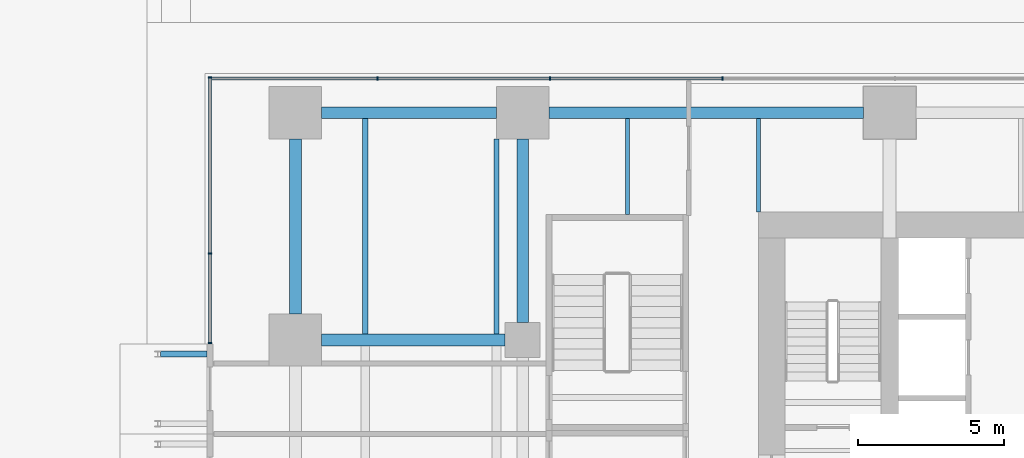
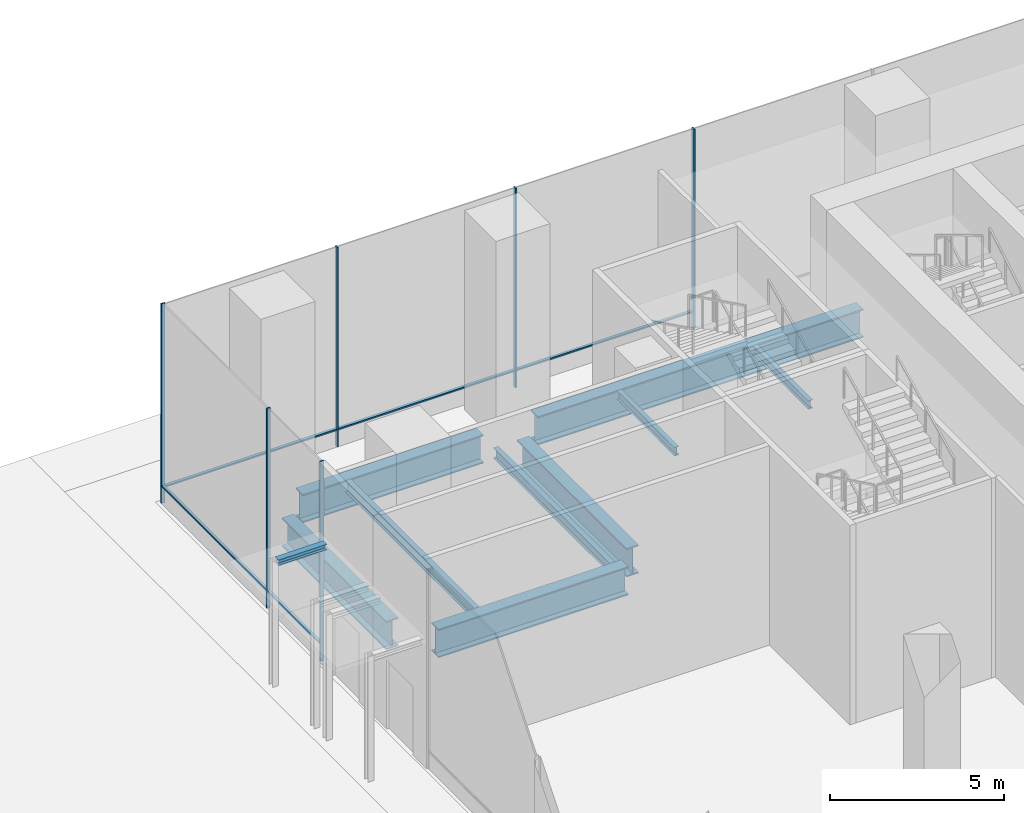
# One storey, part 22 of 41: 11 members, 10 beams, 2 elements without a shape of their own.
"""IFC4 building model written with IfcOpenShell, lengths in metres."""

from ifc_helpers import new_model, si_unit, direction, frame, origin, origin_2d, place, context, subcontext, project, spatial, rectangle, i_section, extrude, material, layer, layer_set, material_profile, profile_set, type_object, element, aggregate, save


model = new_model("IFC4")

# Units and contexts
model_context = context("Model", 3, precision=1e-05, world=origin(), true_north=direction((0.0, 1.0)))
body_context = subcontext(model_context, "Body", "Model", "MODEL_VIEW")
ifc_project = project(units=[si_unit("LENGTHUNIT", "METRE"), si_unit("AREAUNIT", "SQUARE_METRE"), si_unit("VOLUMEUNIT", "CUBIC_METRE"), si_unit("PLANEANGLEUNIT", "RADIAN"), si_unit("MASSUNIT", "GRAM", prefix="KILO")], contexts=[model_context])

# Site, building, storey
site_placement = place(None, origin())
site = spatial("IfcSite", under=ifc_project, at=site_placement, CompositionType="ELEMENT")
building_placement = place(site_placement, origin())
building = spatial("IfcBuilding", under=site, at=building_placement, Name="Rattan Terrace Tower", CompositionType="ELEMENT")
storey_placement = place(building_placement, origin())
storey = spatial("IfcBuildingStorey", under=building, at=storey_placement, Name="L00", CompositionType="ELEMENT", Elevation=0.0)

# Beams
ifc_material_1 = material(Name="Structural steel S355", Category="steel")
ifc_material_profile_1 = material_profile(ifc_material_1, i_section(OverallWidth=0.199951171875, OverallDepth=0.199951171875, WebThickness=0.009033203125, FlangeThickness=0.014892578125, FilletRadius=0.01806640625, at=origin_2d()), Name="HE 200 B")
ifc_profile_set_1 = profile_set([ifc_material_profile_1], Name="Structural steel S355")
beam_type_1 = type_object("IfcBeamType", Name="Canopy beam HE 200 B", PredefinedType="BEAM", material=ifc_profile_set_1)
beam_1_placement = place(storey_placement, frame((-36.929931640625, 2.617919921875, 4.300048828125), z_axis=(-1.0, 0.0, 0.0), x_axis=(0.0, -1.0, 0.0)))
element("IfcBeam", 1, at=beam_1_placement, inside=storey, type_object=beam_type_1, Name="Canopy beam 021a", PredefinedType="BEAM", context=body_context, shape_type="SweptSolid", body=[
    extrude(i_section(OverallWidth=0.199951171875, OverallDepth=0.199951171875, WebThickness=0.009033203125, FlangeThickness=0.014892578125, FilletRadius=0.01806640625, at=origin_2d()), origin(), (0.0, 0.0, 1.0), 1.60009765625),
])
ifc_material_2 = material(Name="Steel S355", Category="steel")
ifc_material_profile_2 = material_profile(ifc_material_2, i_section(OverallWidth=0.14990234375, OverallDepth=0.300048828125, WebThickness=0.007080078125, FlangeThickness=0.0107421875, FilletRadius=0.014892578125, at=origin_2d()), Name="IPE 300")
ifc_profile_set_2 = profile_set([ifc_material_profile_2], Name="Steel S355")
beam_type_2 = type_object("IfcBeamType", Name="Frame floor beam IPE 300", PredefinedType="JOIST", material=ifc_profile_set_2)
beam_2_placement = place(storey_placement, frame((-22.5, 7.39990234375, -0.35009765625), z_axis=(0.0, 1.0, 0.0), x_axis=(-1.0, 0.0, 0.0)))
element("IfcBeam", 2, at=beam_2_placement, inside=storey, type_object=beam_type_2, Name="bm-L00-043", PredefinedType="JOIST", context=body_context, shape_type="SweptSolid", body=[
    extrude(i_section(OverallWidth=0.14990234375, OverallDepth=0.300048828125, WebThickness=0.007080078125, FlangeThickness=0.0107421875, FilletRadius=0.014892578125, at=origin_2d()), origin(), (0.0, 0.0, 1.0), 3.300048828125),
])
beam_3_placement = place(storey_placement, frame((-18.0, 7.5, -0.35009765625), z_axis=(0.0, 1.0, 0.0), x_axis=(-1.0, 0.0, 0.0)))
element("IfcBeam", 3, at=beam_3_placement, inside=storey, type_object=beam_type_2, Name="bm-L00-045", PredefinedType="JOIST", context=body_context, shape_type="SweptSolid", body=[
    extrude(i_section(OverallWidth=0.14990234375, OverallDepth=0.300048828125, WebThickness=0.007080078125, FlangeThickness=0.0107421875, FilletRadius=0.014892578125, at=origin_2d()), origin(), (0.0, 0.0, 1.0), 3.199951171875),
])
ifc_material_3 = material(Name="Steel S355", Category="steel")
ifc_material_profile_3 = material_profile(ifc_material_3, i_section(OverallWidth=0.169921875, OverallDepth=0.360107421875, WebThickness=0.008056640625, FlangeThickness=0.0126953125, FilletRadius=0.01806640625, at=origin_2d()), Name="IPE 360")
ifc_profile_set_3 = profile_set([ifc_material_profile_3], Name="Steel S355")
beam_type_3 = type_object("IfcBeamType", Name="Frame floor beam IPE 360", PredefinedType="JOIST", material=ifc_profile_set_3)
beam_4_placement = place(storey_placement, frame((-27.0, 3.300048828125, -0.3798828125), z_axis=(0.0, 1.0, 0.0), x_axis=(-1.0, 0.0, 0.0)))
element("IfcBeam", 4, at=beam_4_placement, inside=storey, type_object=beam_type_3, Name="bm-L00-040", PredefinedType="JOIST", context=body_context, shape_type="SweptSolid", body=[
    extrude(i_section(OverallWidth=0.169921875, OverallDepth=0.360107421875, WebThickness=0.008056640625, FlangeThickness=0.0126953125, FilletRadius=0.01806640625, at=origin_2d()), origin(), (0.0, 0.0, 1.0), 6.699951171875),
])
ifc_material_4 = material(Name="Steel S355", Category="steel")
ifc_material_profile_4 = material_profile(ifc_material_4, i_section(OverallWidth=0.179931640625, OverallDepth=0.39990234375, WebThickness=0.008544921875, FlangeThickness=0.013427734375, FilletRadius=0.02099609375, at=origin_2d()), Name="IPE 400")
ifc_profile_set_4 = profile_set([ifc_material_profile_4], Name="Steel S355")
beam_type_4 = type_object("IfcBeamType", Name="Frame floor beam IPE 400", PredefinedType="JOIST", material=ifc_profile_set_4)
beam_5_placement = place(storey_placement, frame((-31.5, 3.300048828125, -0.39990234375), z_axis=(0.0, 1.0, 0.0), x_axis=(-1.0, 0.0, 0.0)))
element("IfcBeam", 5, at=beam_5_placement, inside=storey, type_object=beam_type_4, Name="bm-L00-039", PredefinedType="JOIST", context=body_context, shape_type="SweptSolid", body=[
    extrude(i_section(OverallWidth=0.179931640625, OverallDepth=0.39990234375, WebThickness=0.008544921875, FlangeThickness=0.013427734375, FilletRadius=0.02099609375, at=origin_2d()), origin(), (0.0, 0.0, 1.0), 7.39990234375),
])
ifc_material_5 = material(Name="Steel S460", Category="steel")
ifc_material_profile_5 = material_profile(ifc_material_5, i_section(OverallWidth=0.39990234375, OverallDepth=1.0, WebThickness=0.01806640625, FlangeThickness=0.044921875, at=origin_2d()), Name="PG 1000x400-18-45")
ifc_profile_set_5 = profile_set([ifc_material_profile_5], Name="Steel S460")
beam_type_5 = type_object("IfcBeamType", Name="Frame podium girder PG 1000x400-18-45", PredefinedType="USERDEFINED", material=ifc_profile_set_5)
for number, where, z_axis, x_axis, name in (
    (6, (-33.0, 3.10009765625, -0.699951171875), (1.0, 0.0, 0.0), (0.0, 1.0, 0.0), "gdr-L00-040"),
    (7, (-26.10009765625, 3.699951171875, -0.699951171875), (0.0, 1.0, 0.0), (-1.0, 0.0, 0.0), "gdr-L00-042"),
):
    element("IfcBeam", number, at=place(storey_placement, frame(where, z_axis=z_axis, x_axis=x_axis)), inside=storey, type_object=beam_type_5, Name=name, ObjectType="PODIUM GIRDER", PredefinedType="USERDEFINED", context=body_context, shape_type="SweptSolid", body=[
        extrude(i_section(OverallWidth=0.39990234375, OverallDepth=1.0, WebThickness=0.01806640625, FlangeThickness=0.044921875, at=origin_2d()), origin(), (0.0, 0.0, 1.0), 6.300048828125),
    ])
for number, where, z_axis, x_axis, name in (
    (8, (-33.89990234375, 4.0, -0.699951171875), (0.0, 1.0, 0.0), (-1.0, 0.0, 0.0), "gdr-L00-044"),
    (9, (-33.0, 10.89990234375, -0.699951171875), (1.0, 0.0, 0.0), (0.0, 1.0, 0.0), "gdr-L00-046"),
):
    element("IfcBeam", number, at=place(storey_placement, frame(where, z_axis=z_axis, x_axis=x_axis)), inside=storey, type_object=beam_type_5, Name=name, ObjectType="PODIUM GIRDER", PredefinedType="USERDEFINED", context=body_context, shape_type="SweptSolid", body=[
        extrude(i_section(OverallWidth=0.39990234375, OverallDepth=1.0, WebThickness=0.01806640625, FlangeThickness=0.044921875, at=origin_2d()), origin(), (0.0, 0.0, 1.0), 6.0),
    ])
beam_6_placement = place(storey_placement, frame((-25.199951171875, 10.89990234375, -0.699951171875), z_axis=(1.0, 0.0, 0.0), x_axis=(0.0, 1.0, 0.0)))
element("IfcBeam", 10, at=beam_6_placement, inside=storey, type_object=beam_type_5, Name="gdr-L00-047", ObjectType="PODIUM GIRDER", PredefinedType="USERDEFINED", context=body_context, shape_type="SweptSolid", body=[
    extrude(i_section(OverallWidth=0.39990234375, OverallDepth=1.0, WebThickness=0.01806640625, FlangeThickness=0.044921875, at=origin_2d()), origin(), (0.0, 0.0, 1.0), 10.800048828125),
])

# Curtain wall, members
ifc_material_6 = material(Name="Aluminium and glass", Category="aluminium")
ifc_layer = layer(ifc_material_6, 0.1201171875)
ifc_layer_set = layer_set([ifc_layer], Name="Station Storefront Curtain Wall")
curtain_wall_type = type_object("IfcCurtainWallType", Name="Station Storefront Curtain Wall", PredefinedType="NOTDEFINED", material=ifc_layer_set)
curtain_wall_1_placement = place(storey_placement, origin())
curtain_wall_1 = element("IfcCurtainWall", 11, at=curtain_wall_1_placement, inside=storey, type_object=curtain_wall_type, Name="Storefront curtain wall L00-5", PredefinedType="NOTDEFINED")
ifc_material_7 = material(Name="Aluminium", Category="aluminium")
ifc_material_profile_6 = material_profile(ifc_material_7, rectangle(XDim=0.050048828125, YDim=0.1201171875, at=origin_2d()), Name="Aluminium 50x120")
ifc_profile_set_6 = profile_set([ifc_material_profile_6], Name="Aluminium")
member_type_1 = type_object("IfcMemberType", Name="Storefront CW Mullion 50x120", PredefinedType="MULLION", material=ifc_profile_set_6)
member_1_placement = place(storey_placement, frame((-19.239990234375, 12.080078125, 0.0), z_axis=(0.0, 0.0, 1.0), x_axis=(-1.0, 0.0, 0.0)))
member_1 = element("IfcMember", 12, at=member_1_placement, type_object=member_type_1, Name="Mullion cwl-L00-005.7", PredefinedType="MULLION", context=body_context, shape_type="SweptSolid", body=[
    extrude(rectangle(XDim=0.050048828125, YDim=0.1201171875, at=origin_2d()), origin(), (0.0, 0.0, 1.0), 7.0),
])
member_2_placement = place(storey_placement, frame((-25.159912109375, 12.080078125, 0.0), z_axis=(0.0, 0.0, 1.0), x_axis=(-1.0, 0.0, 0.0)))
member_2 = element("IfcMember", 13, at=member_2_placement, type_object=member_type_1, Name="Mullion cwl-L00-005.8", PredefinedType="MULLION", context=body_context, shape_type="SweptSolid", body=[
    extrude(rectangle(XDim=0.050048828125, YDim=0.1201171875, at=origin_2d()), origin(), (0.0, 0.0, 1.0), 7.0),
])
member_3_placement = place(storey_placement, frame((-31.080078125, 12.080078125, 0.0), z_axis=(0.0, 0.0, 1.0), x_axis=(-1.0, 0.0, 0.0)))
member_3 = element("IfcMember", 14, at=member_3_placement, type_object=member_type_1, Name="Mullion cwl-L00-005.9", PredefinedType="MULLION", context=body_context, shape_type="SweptSolid", body=[
    extrude(rectangle(XDim=0.050048828125, YDim=0.1201171875, at=origin_2d()), origin(), (0.0, 0.0, 1.0), 7.0),
])

curtain_wall_2_placement = place(storey_placement, origin())
curtain_wall_2 = element("IfcCurtainWall", 15, at=curtain_wall_2_placement, inside=storey, type_object=curtain_wall_type, Name="Storefront curtain wall L00-6", PredefinedType="NOTDEFINED")
member_4_placement = place(storey_placement, frame((-36.830078125, 12.114990234375, 0.0), z_axis=(0.0, 0.0, 1.0), x_axis=(0.0, -1.0, 0.0)))
member_4 = element("IfcMember", 16, at=member_4_placement, type_object=member_type_1, Name="Mullion cwl-L00-006.1", PredefinedType="MULLION", context=body_context, shape_type="SweptSolid", body=[
    extrude(rectangle(XDim=0.050048828125, YDim=0.1201171875, at=origin_2d()), origin(), (0.0, 0.0, 1.0), 7.0),
])
member_5_placement = place(storey_placement, frame((-36.830078125, 6.06201171875, 0.0), z_axis=(0.0, 0.0, 1.0), x_axis=(0.0, -1.0, 0.0)))
member_5 = element("IfcMember", 17, at=member_5_placement, type_object=member_type_1, Name="Mullion cwl-L00-006.2", PredefinedType="MULLION", context=body_context, shape_type="SweptSolid", body=[
    extrude(rectangle(XDim=0.050048828125, YDim=0.1201171875, at=origin_2d()), origin(), (0.0, 0.0, 1.0), 7.0),
])
member_6_placement = place(storey_placement, frame((-36.830078125, 2.992919921875, 0.0), z_axis=(0.0, 0.0, 1.0), x_axis=(0.0, -1.0, 0.0)))
member_6 = element("IfcMember", 18, at=member_6_placement, type_object=member_type_1, Name="Mullion cwl-L00-006.3", PredefinedType="MULLION", context=body_context, shape_type="SweptSolid", body=[
    extrude(rectangle(XDim=0.050048828125, YDim=0.1201171875, at=origin_2d()), origin(), (0.0, 0.0, 1.0), 7.0),
])

# Member
ifc_material_8 = material(Name="Aluminium", Category="aluminium")
ifc_material_profile_7 = material_profile(ifc_material_8, rectangle(XDim=0.10009765625, YDim=0.050048828125, at=origin_2d()), Name="Aluminium 100x50")
ifc_profile_set_7 = profile_set([ifc_material_profile_7], Name="Aluminium")
member_type_2 = type_object("IfcMemberType", Name="Storefront CW Transom 100x50", PredefinedType="USERDEFINED", material=ifc_profile_set_7)
member_7_placement = place(storey_placement, frame((-19.264892578125, 12.080078125, 0.60009765625), z_axis=(-1.0, 0.0, 0.0), x_axis=(0.0, -1.0, 0.0)))
member_7 = element("IfcMember", 19, at=member_7_placement, type_object=member_type_2, Name="Transom cwl-L00-005.7", ObjectType="TRANSOM", PredefinedType="USERDEFINED", context=body_context, shape_type="SweptSolid", body=[
    extrude(rectangle(XDim=0.10009765625, YDim=0.050048828125, at=origin_2d()), origin(), (0.0, 0.0, 1.0), 5.8701171875),
])

member_8_placement = place(storey_placement, frame((-25.18505859375, 12.080078125, 0.60009765625), z_axis=(-1.0, 0.0, 0.0), x_axis=(0.0, -1.0, 0.0)))
member_8 = element("IfcMember", 20, at=member_8_placement, type_object=member_type_2, Name="Transom cwl-L00-005.8", ObjectType="TRANSOM", PredefinedType="USERDEFINED", context=body_context, shape_type="SweptSolid", body=[
    extrude(rectangle(XDim=0.10009765625, YDim=0.050048828125, at=origin_2d()), origin(), (0.0, 0.0, 1.0), 5.869873046875),
])

member_9_placement = place(storey_placement, frame((-31.10498046875, 12.080078125, 0.60009765625), z_axis=(-1.0, 0.0, 0.0), x_axis=(0.0, -1.0, 0.0)))
member_9 = element("IfcMember", 21, at=member_9_placement, type_object=member_type_2, Name="Transom cwl-L00-005.9", ObjectType="TRANSOM", PredefinedType="USERDEFINED", context=body_context, shape_type="SweptSolid", body=[
    extrude(rectangle(XDim=0.10009765625, YDim=0.050048828125, at=origin_2d()), origin(), (0.0, 0.0, 1.0), 5.6650390625),
])

aggregate(curtain_wall_1, [member_1, member_2, member_3, member_7, member_8, member_9])

member_10_placement = place(storey_placement, frame((-36.830078125, 12.090087890625, 0.60009765625), z_axis=(0.0, -1.0, 0.0), x_axis=(1.0, 0.0, 0.0)))
member_10 = element("IfcMember", 22, at=member_10_placement, type_object=member_type_2, Name="Transom cwl-L00-006.1", ObjectType="TRANSOM", PredefinedType="USERDEFINED", context=body_context, shape_type="SweptSolid", body=[
    extrude(rectangle(XDim=0.10009765625, YDim=0.050048828125, at=origin_2d()), origin(), (0.0, 0.0, 1.0), 6.003173828125),
])

member_11_placement = place(storey_placement, frame((-36.830078125, 6.037109375, 0.60009765625), z_axis=(0.0, -1.0, 0.0), x_axis=(1.0, 0.0, 0.0)))
member_11 = element("IfcMember", 23, at=member_11_placement, type_object=member_type_2, Name="Transom cwl-L00-006.2", ObjectType="TRANSOM", PredefinedType="USERDEFINED", context=body_context, shape_type="SweptSolid", body=[
    extrude(rectangle(XDim=0.10009765625, YDim=0.050048828125, at=origin_2d()), origin(), (0.0, 0.0, 1.0), 3.01904296875),
])

aggregate(curtain_wall_2, [member_4, member_5, member_6, member_10, member_11])

save(model, "model.ifc")
